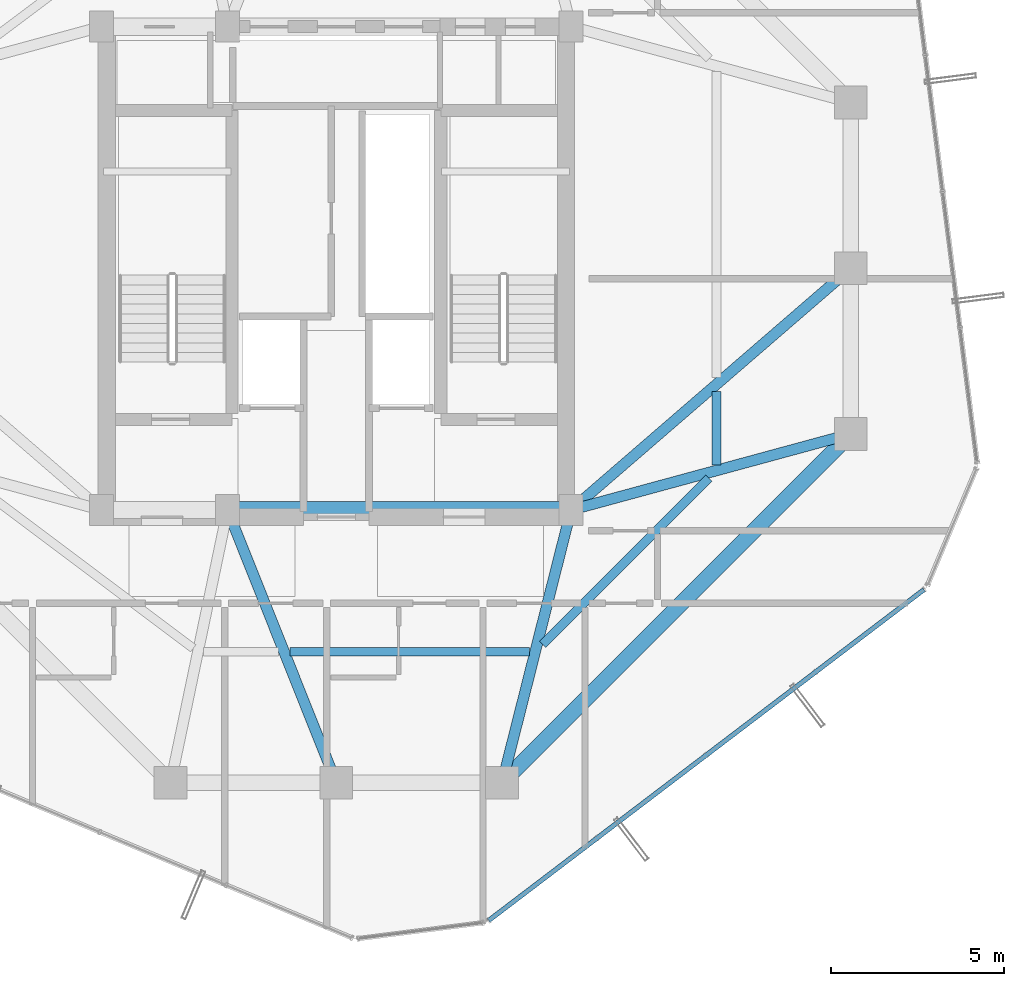
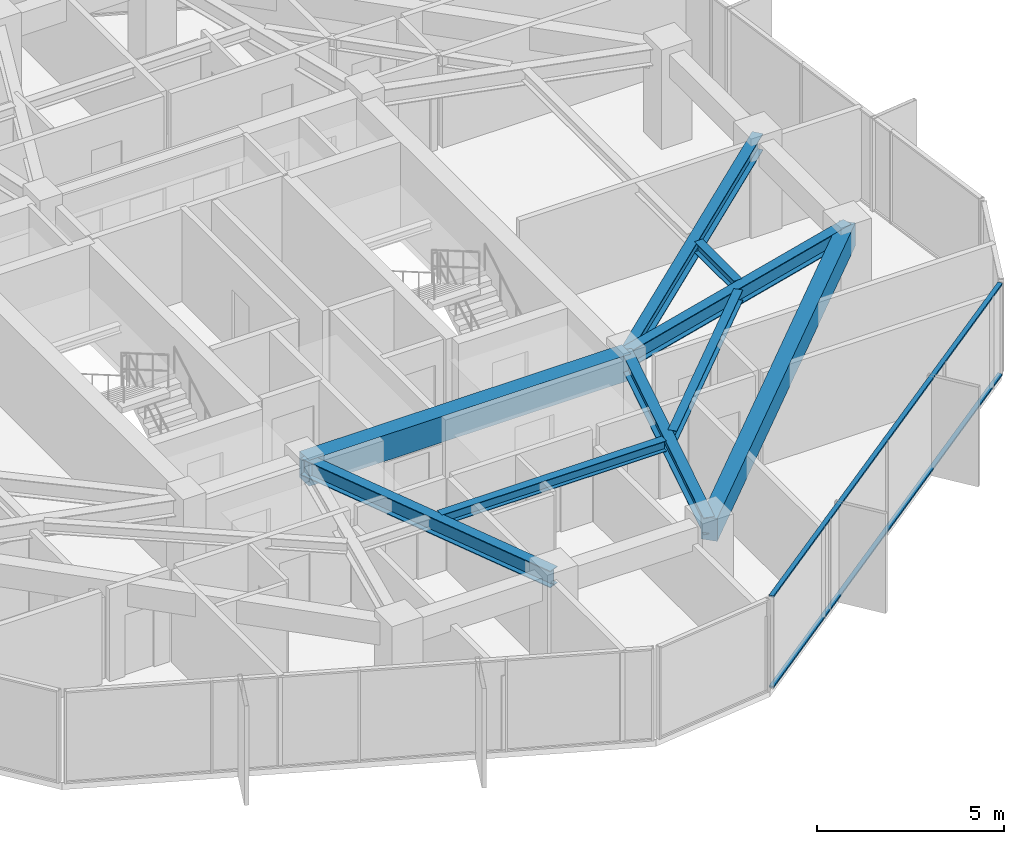
# One storey, part 9 of 32: 9 beams, 2 members, 1 element without a shape of its own.
"""IFC4 building model written with IfcOpenShell, lengths in metres."""

from ifc_helpers import new_model, si_unit, direction, frame, origin, origin_2d, place, context, subcontext, project, spatial, rectangle, hollow_rectangle, i_section, extrude, source, transform, mapped, material, layer, layer_set, material_profile, profile_set, type_object, element, aggregate, save


model = new_model("IFC4")

# Units and contexts
model_context = context("Model", 3, precision=1e-05, world=origin(), true_north=direction((0.0, 1.0)))
body_context = subcontext(model_context, "Body", "Model", "MODEL_VIEW")
ifc_project = project(units=[si_unit("LENGTHUNIT", "METRE"), si_unit("AREAUNIT", "SQUARE_METRE"), si_unit("VOLUMEUNIT", "CUBIC_METRE"), si_unit("PLANEANGLEUNIT", "RADIAN"), si_unit("MASSUNIT", "GRAM", prefix="KILO")], contexts=[model_context])

# Site, building, storey
site_placement = place(None, origin())
site = spatial("IfcSite", under=ifc_project, at=site_placement, CompositionType="ELEMENT")
building_placement = place(site_placement, origin())
building = spatial("IfcBuilding", under=site, at=building_placement, Name="Veraguas Prism Commons", CompositionType="ELEMENT")
storey_placement = place(building_placement, frame((0.0, 0.0, 182.10009765625)))
storey = spatial("IfcBuildingStorey", under=building, at=storey_placement, Name="L51", CompositionType="ELEMENT", Elevation=182.10009765625)

# Beams
ifc_material_1 = material(Name="Concrete C50/60", Category="concrete")
ifc_material_profile_1 = material_profile(ifc_material_1, rectangle(XDim=0.5, YDim=0.85009765625, at=origin_2d()), Name="RC500X850")
ifc_profile_set_1 = profile_set([ifc_material_profile_1], Name="Concrete C50/60")
beam_type_1 = type_object("IfcBeamType", Name="Core Coupling Beam RC 500x850", PredefinedType="BEAM", material=ifc_profile_set_1)
beam_1_placement = place(storey_placement, frame((20.85009765625, 17.0, 2.58984375), z_axis=(1.0, 0.0, 0.0), x_axis=(0.0, 1.0, 0.0)))
element("IfcBeam", 1, at=beam_1_placement, inside=storey, type_object=beam_type_1, Name="Core Coupling Beam L51-CRS2", PredefinedType="BEAM", context=body_context, shape_type="SweptSolid", body=[
    extrude(rectangle(XDim=0.5, YDim=0.85009765625, at=origin_2d()), origin(), (0.0, 0.0, 1.0), 9.949951171875),
])
ifc_material_profile_2 = material_profile(ifc_material_1, rectangle(XDim=0.449951171875, YDim=0.75, at=origin_2d()), Name="RC450X750")
ifc_profile_set_2 = profile_set([ifc_material_profile_2], Name="Concrete C50/60")
beam_type_2 = type_object("IfcBeamType", Name="Perimeter Spandrel Upper RC 450x750", PredefinedType="SPANDREL", material=ifc_profile_set_2)
beam_2_placement = place(storey_placement, frame((28.800048828125, 9.10009765625, 2.639892578125), z_axis=(0.707106781187, 0.707106781187, 0.0), x_axis=(-0.707106781187, 0.707106781187, 0.0)))
element("IfcBeam", 2, at=beam_2_placement, inside=storey, type_object=beam_type_2, Name="Perimeter Spandrel Beam L51-SP12", PredefinedType="SPANDREL", context=body_context, shape_type="SweptSolid", body=[
    extrude(rectangle(XDim=0.449951171875, YDim=0.75, at=origin_2d()), origin(), (0.0, 0.0, 1.0), 14.283447265625),
])
ifc_material_2 = material(Name="Steel ASTM A992 Grade 50", Category="steel")
ifc_material_profile_3 = material_profile(ifc_material_2, i_section(OverallWidth=0.25390625, OverallDepth=0.35302734375, WebThickness=0.009521484375, FlangeThickness=0.016357421875, at=origin_2d()), Name="W360X91")
ifc_profile_set_3 = profile_set([ifc_material_profile_3], Name="Steel ASTM A992 Grade 50")
beam_type_3 = type_object("IfcBeamType", Name="Upper Floor Joist W360x91", PredefinedType="JOIST", material=ifc_profile_set_3)
beam_3_placement = place(storey_placement, frame((35.011962890625, 18.302978515625, 2.83837890625), z_axis=(0.0, 1.0, 0.0), x_axis=(-1.0, 0.0, 0.0)))
element("IfcBeam", 3, at=beam_3_placement, inside=storey, type_object=beam_type_3, Name="Composite Floor Joist L51-JS01", PredefinedType="JOIST", context=body_context, shape_type="SweptSolid", body=[
    extrude(i_section(OverallWidth=0.25390625, OverallDepth=0.35302734375, WebThickness=0.009521484375, FlangeThickness=0.016357421875, at=origin_2d()), origin(), (0.0, 0.0, 1.0), 2.134033203125),
])
beam_4_placement = place(storey_placement, frame((22.6533203125, 12.89208984375, 2.83837890625), z_axis=(1.0, 0.0, 0.0), x_axis=(0.0, 1.0, 0.0)))
element("IfcBeam", 4, at=beam_4_placement, inside=storey, type_object=beam_type_3, Name="Composite Floor Joist L51-JS11", PredefinedType="JOIST", context=body_context, shape_type="SweptSolid", body=[
    extrude(i_section(OverallWidth=0.25390625, OverallDepth=0.35302734375, WebThickness=0.009521484375, FlangeThickness=0.016357421875, at=origin_2d()), origin(), (0.0, 0.0, 1.0), 6.948486328125),
])
beam_5_placement = place(storey_placement, frame((29.971923828125, 13.10400390625, 2.83837890625), z_axis=(0.707124682851, 0.707088879069, 0.0), x_axis=(-0.707088879069, 0.707124682851, 0.0)))
element("IfcBeam", 5, at=beam_5_placement, inside=storey, type_object=beam_type_3, Name="Composite Floor Joist L51-JS12", PredefinedType="JOIST", context=body_context, shape_type="SweptSolid", body=[
    extrude(i_section(OverallWidth=0.25390625, OverallDepth=0.35302734375, WebThickness=0.009521484375, FlangeThickness=0.016357421875, at=origin_2d()), origin(), (0.0, 0.0, 1.0), 6.81884765625),
])
ifc_material_profile_4 = material_profile(ifc_material_2, i_section(OverallWidth=0.31103515625, OverallDepth=0.5458984375, WebThickness=0.0146484375, FlangeThickness=0.023681640625, at=origin_2d()), Name="W530X165")
ifc_profile_set_4 = profile_set([ifc_material_profile_4], Name="Steel ASTM A992 Grade 50")
beam_type_4 = type_object("IfcBeamType", Name="Zone 3 Radial Girder W530x165", PredefinedType="BEAM", material=ifc_profile_set_4)
beam_6_placement = place(storey_placement, frame((38.89990234375, 19.199951171875, 2.741943359375), z_axis=(-0.965038506703, -0.262108146725, 0.0), x_axis=(0.262108146725, -0.965038506703, 0.0)))
element("IfcBeam", 6, at=beam_6_placement, inside=storey, type_object=beam_type_4, Name="Radial Floor Girder L51-RD01", PredefinedType="BEAM", context=body_context, shape_type="SweptSolid", body=[
    extrude(i_section(OverallWidth=0.31103515625, OverallDepth=0.5458984375, WebThickness=0.0146484375, FlangeThickness=0.023681640625, at=origin_2d()), origin(), (0.0, 0.0, 1.0), 8.393310546875),
])
beam_7_placement = place(storey_placement, frame((38.89990234375, 24.0, 2.741943359375), z_axis=(-0.756607086554, -0.653869800936, 0.0), x_axis=(0.653869800936, -0.756607086554, 0.0)))
element("IfcBeam", 7, at=beam_7_placement, inside=storey, type_object=beam_type_4, Name="Radial Floor Girder L51-RD02", PredefinedType="BEAM", context=body_context, shape_type="SweptSolid", body=[
    extrude(i_section(OverallWidth=0.31103515625, OverallDepth=0.5458984375, WebThickness=0.0146484375, FlangeThickness=0.023681640625, at=origin_2d()), origin(), (0.0, 0.0, 1.0), 10.70556640625),
])
beam_8_placement = place(storey_placement, frame((24.0, 9.10009765625, 2.741943359375), z_axis=(-0.370370877803, 0.928883960931, 0.0), x_axis=(-0.928883960931, -0.370370877803, 0.0)))
element("IfcBeam", 8, at=beam_8_placement, inside=storey, type_object=beam_type_4, Name="Radial Floor Girder L51-RD11", PredefinedType="BEAM", context=body_context, shape_type="SweptSolid", body=[
    extrude(i_section(OverallWidth=0.31103515625, OverallDepth=0.5458984375, WebThickness=0.0146484375, FlangeThickness=0.023681640625, at=origin_2d()), origin(), (0.0, 0.0, 1.0), 8.504638671875),
])
beam_9_placement = place(storey_placement, frame((28.800048828125, 9.10009765625, 2.741943359375), z_axis=(0.245424718066, 0.969415652732, 0.0), x_axis=(-0.969415652732, 0.245424718066, 0.0)))
element("IfcBeam", 9, at=beam_9_placement, inside=storey, type_object=beam_type_4, Name="Radial Floor Girder L51-RD12", PredefinedType="BEAM", context=body_context, shape_type="SweptSolid", body=[
    extrude(i_section(OverallWidth=0.31103515625, OverallDepth=0.5458984375, WebThickness=0.0146484375, FlangeThickness=0.023681640625, at=origin_2d()), origin(), (0.0, 0.0, 1.0), 8.149169921875),
])

# Curtain wall, members
ifc_material_3 = material(Name="Anodised aluminium EN AW-6063 T6", Category="aluminium")
ifc_layer = layer(ifc_material_3, 0.14990234375, Name="Unitised Flush Curtain Wall Zone 3", Category="aluminium")
ifc_layer_set = layer_set([ifc_layer], Name="Anodised aluminium EN AW-6063 T6")
curtain_wall_type = type_object("IfcCurtainWallType", Name="Unitised Flush Curtain Wall Zone 3", PredefinedType="NOTDEFINED", material=ifc_layer_set)
curtain_wall_placement = place(storey_placement, origin())
curtain_wall = element("IfcCurtainWall", 10, at=curtain_wall_placement, inside=storey, type_object=curtain_wall_type, Name="Tower Facade Curtain Wall L51-F5", PredefinedType="NOTDEFINED")
ifc_material_profile_5 = material_profile(ifc_material_3, hollow_rectangle(XDim=0.054931640625, YDim=0.135009765625, WallThickness=0.0029296875, at=origin_2d()), Name="AL55X135X3")
ifc_profile_set_5 = profile_set([ifc_material_profile_5], Name="Anodised aluminium EN AW-6063 T6")
member_type = type_object("IfcMemberType", Name="Curtain Wall Transom Standard AL 55x135x3", PredefinedType="USERDEFINED", material=ifc_profile_set_5)
shared_shape = source(origin(), body_context, "Body", "SweptSolid", [
    extrude(hollow_rectangle(XDim=0.054931640625, YDim=0.135009765625, WallThickness=0.0029296875, at=origin_2d()), origin(), (0.0, 0.0, 1.0), 15.84228515625),
])
member_1_placement = place(storey_placement, frame((28.411376953125, 5.107177734375, 0.02734375), z_axis=(0.79610161012, 0.605162975044, 0.0), x_axis=(0.0, 0.0, 1.0)))
member_1 = element("IfcMember", 11, at=member_1_placement, type_object=member_type, Name="CW-Z3 Transom 1", ObjectType="TRANSOM", PredefinedType="USERDEFINED", context=body_context, shape_type="MappedRepresentation", body=[
    mapped(shared_shape, transform((0.0, 0.0, 0.0), scale=1.0)),
])
member_2_placement = place(storey_placement, frame((28.411376953125, 5.107177734375, 2.9873046875), z_axis=(0.79610161012, 0.605162975044, 0.0), x_axis=(0.0, 0.0, 1.0)))
member_2 = element("IfcMember", 12, at=member_2_placement, type_object=member_type, Name="CW-Z3 Transom 2", ObjectType="TRANSOM", PredefinedType="USERDEFINED", context=body_context, shape_type="MappedRepresentation", body=[
    mapped(shared_shape, transform((0.0, 0.0, 0.0), scale=1.0)),
])
aggregate(curtain_wall, [member_1, member_2])

save(model, "model.ifc")
